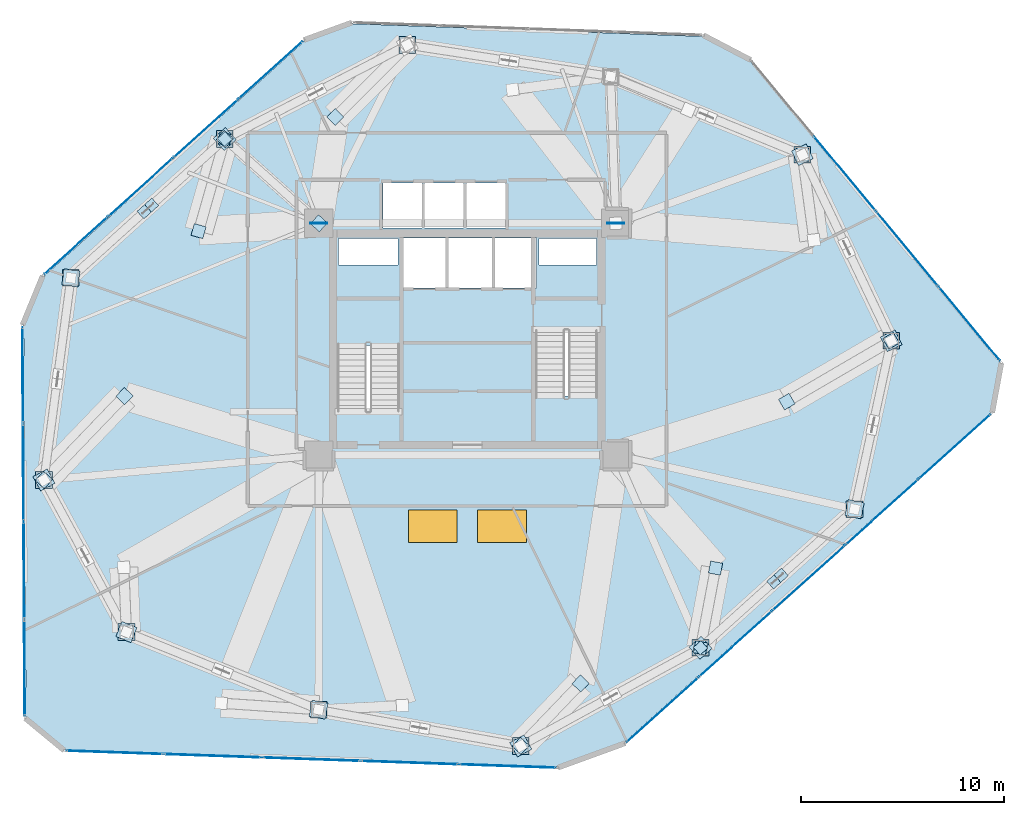
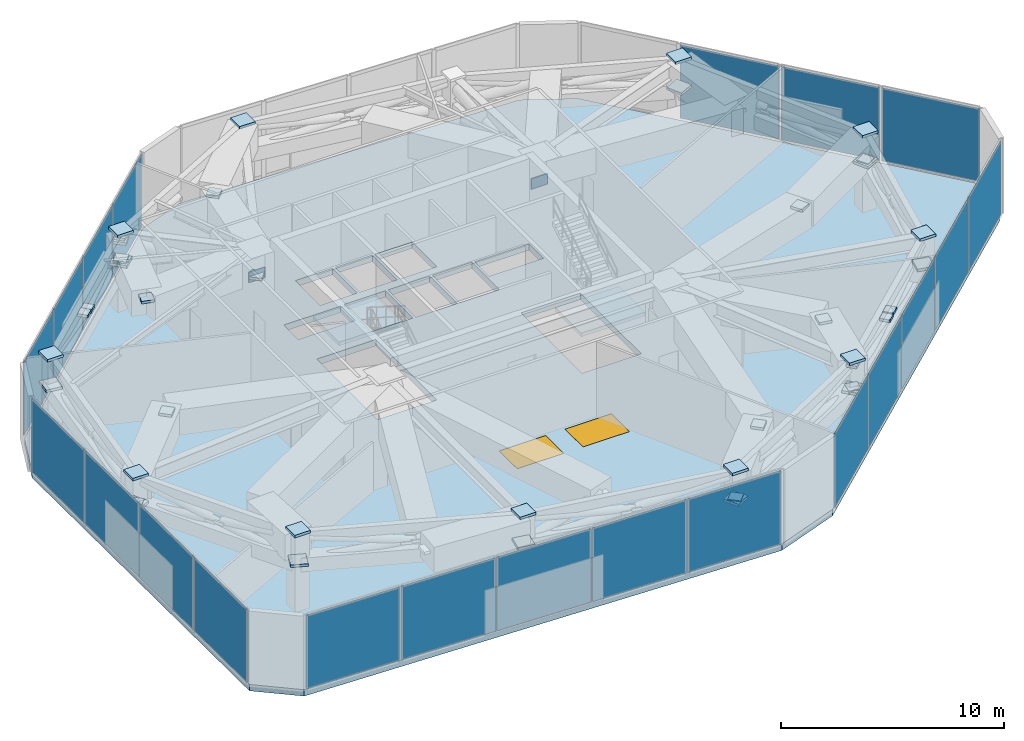
# One storey, part 19 of 25: 64 plates, 3 slabs, 2 windows, 2 openings, 7 elements without a shape of their own.
"""IFC4 building model written with IfcOpenShell, lengths in metres."""

from ifc_helpers import new_model, si_unit, direction, frame, origin, origin_2d, place, context, subcontext, project, spatial, polyline, rectangle, outline, extrude, source, transform, mapped, material, layer, layer_set, type_object, type_shapes, element, fill, aggregate, save


model = new_model("IFC4")

# Units and contexts
model_context = context("Model", 3, precision=1e-05, world=origin(), true_north=direction((0.0, 1.0)))
body_context = subcontext(model_context, "Body", "Model", "MODEL_VIEW")
ifc_project = project(units=[si_unit("LENGTHUNIT", "METRE"), si_unit("AREAUNIT", "SQUARE_METRE"), si_unit("VOLUMEUNIT", "CUBIC_METRE"), si_unit("PLANEANGLEUNIT", "RADIAN"), si_unit("MASSUNIT", "GRAM", prefix="KILO")], contexts=[model_context])

# Site, building, storey
site_placement = place(None, origin())
site = spatial("IfcSite", under=ifc_project, at=site_placement, CompositionType="ELEMENT")
building_placement = place(site_placement, origin())
building = spatial("IfcBuilding", under=site, at=building_placement, Name="Talar Marvaseh", CompositionType="ELEMENT")
storey_placement = place(building_placement, frame((0.0, 0.0, 84.800048828125)))
storey = spatial("IfcBuildingStorey", under=building, at=storey_placement, Name="L21", CompositionType="ELEMENT", Elevation=84.800048828125)

# Stair, slab
ifc_material_1 = material(Name="Concrete C40/50", Category="concrete")
stair_type = type_object("IfcStairType", Name="Reinforced Concrete Half-Turn Exit Stair Type B", PredefinedType="HALF_TURN_STAIR", material=ifc_material_1)
stair_1_placement = place(storey_placement, origin())
stair_1 = element("IfcStair", 1, at=stair_1_placement, inside=storey, type_object=stair_type, Name="L21 Tower West Core Exit Stair", PredefinedType="HALF_TURN_STAIR")
ifc_layer_1 = layer(ifc_material_1, 0.199951171875)
ifc_layer_set_1 = layer_set([ifc_layer_1], Name="Concrete C40/50")
slab_type_1 = type_object("IfcSlabType", Name="Reinforced Concrete Stair Half-Landing Slab 200", PredefinedType="LANDING", material=ifc_layer_set_1)
slab_1_placement = place(storey_placement, frame((0.0, 0.0, 2.099853515625)))
slab_1 = element("IfcSlab", 2, at=slab_1_placement, type_object=slab_type_1, Name="ST-1 landing 1", PredefinedType="LANDING", context=body_context, shape_type="SweptSolid", body=[
    extrude(outline(polyline([(22.780029296875, 30.889892578125), (22.780029296875, 33.219970703125), (19.47998046875, 33.219970703125), (19.47998046875, 30.889892578125), (22.780029296875, 30.889892578125)])), origin(), (0.0, 0.0, 1.0), 0.2001953125),
])
aggregate(stair_1, [slab_1])

stair_2_placement = place(storey_placement, origin())
stair_2 = element("IfcStair", 3, at=stair_2_placement, inside=storey, type_object=stair_type, Name="L21 Tower East Core Exit Stair", PredefinedType="HALF_TURN_STAIR")
slab_2_placement = place(storey_placement, frame((0.0, 0.0, 2.099853515625)))
slab_2 = element("IfcSlab", 4, at=slab_2_placement, type_object=slab_type_1, Name="ST-2 landing 1", PredefinedType="LANDING", context=body_context, shape_type="SweptSolid", body=[
    extrude(outline(polyline([(29.219970703125, 28.409912109375), (29.219970703125, 26.080078125), (32.52001953125, 26.080078125), (32.52001953125, 28.409912109375), (29.219970703125, 28.409912109375)])), origin(), (0.0, 0.0, 1.0), 0.2001953125),
])
aggregate(stair_2, [slab_2])

# Slab, openings, windows
ifc_material_2 = material(Name="Concrete C50/60", Category="concrete")
ifc_layer_2 = layer(ifc_material_2, 0.35009765625)
ifc_layer_set_2 = layer_set([ifc_layer_2], Name="Concrete C50/60")
slab_type_2 = type_object("IfcSlabType", Name="Structural Suspended Floor Slab 350", PredefinedType="FLOOR", material=ifc_layer_set_2)
slab_3_placement = place(storey_placement, frame((0.0, 0.0, -0.35009765625)))
slab_3 = element("IfcSlab", 5, at=slab_3_placement, inside=storey, type_object=slab_type_2, Name="L21 Tower Floor Slab", PredefinedType="FLOOR", context=body_context, shape_type="SweptSolid", body=[
    extrude(outline(polyline([(6.209716796875, 11.023681640625), (4.294921875, 12.606201171875), (4.1787109375, 31.872314453125), (5.177001953125, 34.298095703125), (17.98095703125, 45.854248046875), (20.34521484375, 46.714599609375), (37.58154296875, 46.09228515625), (39.90576171875, 44.8759765625), (52.200439453125, 30.04248046875), (51.7509765625, 27.599365234375), (33.744384765625, 11.391357421875), (30.421875, 10.181884765625), (6.209716796875, 11.023681640625)]), holes=[polyline([(22.659912109375, 27.64990234375), (22.659912109375, 33.10009765625), (19.60009765625, 33.10009765625), (19.60009765625, 27.64990234375), (22.659912109375, 27.64990234375)]), polyline([(29.340087890625, 31.64990234375), (29.340087890625, 26.199951171875), (32.39990234375, 26.199951171875), (32.39990234375, 31.64990234375), (29.340087890625, 31.64990234375)]), polyline([(22.800048828125, 33.719970703125), (24.93994140625, 33.719970703125), (24.93994140625, 36.179931640625), (22.800048828125, 36.179931640625), (22.800048828125, 33.719970703125)]), polyline([(25.080078125, 33.719970703125), (27.219970703125, 33.719970703125), (27.219970703125, 36.179931640625), (25.080078125, 36.179931640625), (25.080078125, 33.719970703125)]), polyline([(27.360107421875, 33.719970703125), (29.39990234375, 33.719970703125), (29.39990234375, 36.179931640625), (27.360107421875, 36.179931640625), (27.360107421875, 33.719970703125)]), polyline([(21.840087890625, 36.659912109375), (23.760009765625, 36.659912109375), (23.760009765625, 38.8798828125), (21.840087890625, 38.8798828125), (21.840087890625, 36.659912109375)]), polyline([(23.89990234375, 36.659912109375), (25.820068359375, 36.659912109375), (25.820068359375, 38.8798828125), (23.89990234375, 38.8798828125), (23.89990234375, 36.659912109375)]), polyline([(25.9599609375, 36.659912109375), (27.8798828125, 36.659912109375), (27.8798828125, 38.8798828125), (25.9599609375, 38.8798828125), (25.9599609375, 36.659912109375)]), polyline([(19.659912109375, 34.840087890625), (22.60009765625, 34.840087890625), (22.60009765625, 36.139892578125), (19.659912109375, 36.139892578125), (19.659912109375, 34.840087890625)]), polyline([(29.52001953125, 34.840087890625), (32.340087890625, 34.840087890625), (32.340087890625, 36.139892578125), (29.52001953125, 36.139892578125), (29.52001953125, 34.840087890625)])]), origin(), (0.0, 0.0, 1.0), 0.35009765625),
])
opening_1_placement = place(slab_3_placement, frame((24.300048828125, 22.0, -0.010009765625)))
opening_1 = element("IfcOpeningElement", 6, at=opening_1_placement, cuts=slab_3, Name="Opening WN-SKY24", PredefinedType="OPENING", context=body_context, shape_type="SweptSolid", body=[
    extrude(rectangle(XDim=2.39990234375, YDim=1.60009765625, at=origin_2d()), origin(), (0.0, 0.0, 1.0), 0.3701171875),
])
opening_2_placement = place(slab_3_placement, frame((27.699951171875, 22.0, -0.010009765625)))
opening_2 = element("IfcOpeningElement", 7, at=opening_2_placement, cuts=slab_3, Name="Opening WN-SKY24", PredefinedType="OPENING", context=body_context, shape_type="SweptSolid", body=[
    extrude(rectangle(XDim=2.39990234375, YDim=1.60009765625, at=origin_2d()), origin(), (0.0, 0.0, 1.0), 0.3701171875),
])
ifc_material_3 = material(Name="Laminated Low-E Solar Glass", Category="glass")
window_type = type_object("IfcWindowType", Name="Atrium Compartment Smoke-Rated Roof Skylight 2400x1600", PartitioningType="SINGLE_PANEL", PredefinedType="SKYLIGHT", material=ifc_material_3)
window_1_placement = place(slab_3_placement, frame((24.300048828125, 22.0, 0.300048828125)))
window_1 = element("IfcWindow", 8, at=window_1_placement, inside=storey, type_object=window_type, Name="L21 Atrium Compartment Smoke-Rated Skylight", OverallHeight=1.60009765625, OverallWidth=2.39990234375, PartitioningType="SINGLE_PANEL", PredefinedType="SKYLIGHT", context=body_context, shape_type="SweptSolid", body=[
    extrude(rectangle(XDim=2.39990234375, YDim=1.60009765625, at=origin_2d()), origin(), (0.0, 0.0, 1.0), 0.050048828125),
])
fill(opening_1, window_1)
window_2_placement = place(slab_3_placement, frame((27.699951171875, 22.0, 0.300048828125)))
window_2 = element("IfcWindow", 9, at=window_2_placement, inside=storey, type_object=window_type, Name="L21 Atrium Compartment Smoke-Rated Skylight", OverallHeight=1.60009765625, OverallWidth=2.39990234375, PartitioningType="SINGLE_PANEL", PredefinedType="SKYLIGHT", context=body_context, shape_type="SweptSolid", body=[
    extrude(rectangle(XDim=2.39990234375, YDim=1.60009765625, at=origin_2d()), origin(), (0.0, 0.0, 1.0), 0.050048828125),
])
fill(opening_2, window_2)

# Plates
ifc_material_4 = material(Name="Steel S460", Category="steel")
ifc_layer_3 = layer(ifc_material_4, 0.02490234375)
ifc_layer_set_3 = layer_set([ifc_layer_3], Name="Steel S460")
plate_type_1 = type_object("IfcPlateType", Name="Crown Box End Closure Cap Plate 25", PredefinedType="USERDEFINED", material=ifc_layer_set_3)
shared_shape_1 = source(origin(), body_context, "Body", "SweptSolid", [
    extrude(rectangle(XDim=0.5, YDim=0.5, at=origin_2d()), origin(), (0.0, 0.0, 1.0), 0.139892578125),
])
type_shapes(plate_type_1, [shared_shape_1])
for number, where, z_axis, x_axis, name in (
    (10, (37.468017578125, 16.02099609375, 3.77978515625), (0.0, 0.0, 1.0), (-0.743144825477, -0.669130606359, 0.0), "L21 Hollow Member End Cap Plate"),
    (11, (41.0791015625, 19.271240234375, 3.07373046875), (0.0, 0.0, 1.0), (0.743144825477, 0.669130606359, 0.0), "L21 Hollow Member End Cap Plate"),
    (12, (41.432861328125, 19.589599609375, 3.13671875), (0.0, 0.0, 1.0), (0.743144825477, 0.669130606359, 0.0), "L21 Hollow Member End Cap Plate"),
    (13, (14.069091796875, 41.04296875, 3.77978515625), (0.0, 0.0, 1.0), (0.741975840976, 0.670426618959, 0.0), "L21 Hollow Member End Cap Plate"),
    (14, (10.462158203125, 37.787841796875, 3.07373046875), (0.0, 0.0, 1.0), (-0.741975840976, -0.670426618959, 0.0), "L21 Hollow Member End Cap Plate"),
    (15, (10.10888671875, 37.468994140625, 3.13671875), (0.0, 0.0, 1.0), (-0.741975840976, -0.670426618959, 0.0), "L21 Hollow Member End Cap Plate"),
):
    element("IfcPlate", number, at=place(storey_placement, frame(where, z_axis=z_axis, x_axis=x_axis)), inside=storey, type_object=plate_type_1, Name=name, ObjectType="CAP_PLATE", PredefinedType="USERDEFINED", context=body_context, shape_type="MappedRepresentation", body=[
        mapped(shared_shape_1, transform((0.0, 0.0, 0.0), x_axis=(1.0, 0.0, 0.0), y_axis=(0.0, 1.0, 0.0), z_axis=(0.0, 0.0, 1.0), scale=1.0)),
    ])
ifc_layer_4 = layer(ifc_material_4, 0.034912109375)
ifc_layer_set_4 = layer_set([ifc_layer_4], Name="Steel S460")
plate_type_2 = type_object("IfcPlateType", Name="Belt Truss Post Closure Cap Plate 35", PredefinedType="USERDEFINED", material=ifc_layer_set_4)
shared_shape_2 = source(origin(), body_context, "Body", "SweptSolid", [
    extrude(rectangle(XDim=0.800048828125, YDim=0.800048828125, at=origin_2d()), origin(), (0.0, 0.0, 1.0), 0.139892578125),
])
for number, where, z_axis, x_axis, name in (
    (16, (42.47705078125, 40.26904296875, 2.43017578125), (0.0, 0.0, 1.0), (0.430511096808, -0.90258528435, 0.0), "L21 Hollow Member End Cap Plate"),
    (17, (46.841064453125, 31.118896484375, 2.43017578125), (0.0, 0.0, 1.0), (0.430511096808, -0.90258528435, 0.0), "L21 Hollow Member End Cap Plate"),
    (18, (45.0439453125, 22.840087890625, 2.43017578125), (0.0, 0.0, 1.0), (-0.211324796455, -0.977415894286, 0.0), "L21 Hollow Member End Cap Plate"),
    (19, (37.468017578125, 16.02099609375, 2.43017578125), (0.0, 0.0, 1.0), (-0.743144825477, -0.669130606359, 0.0), "L21 Hollow Member End Cap Plate"),
    (20, (28.625, 11.195068359375, 2.43017578125), (0.0, 0.0, 1.0), (-0.877982975428, -0.478691857941, 0.0), "L21 Hollow Member End Cap Plate"),
    (21, (18.68310546875, 12.97900390625, 2.43017578125), (0.0, 0.0, 1.0), (-0.984195607969, 0.17708474032, 0.0), "L21 Hollow Member End Cap Plate"),
    (22, (9.23193359375, 16.7958984375, 2.43017578125), (0.0, 0.0, 1.0), (-0.927183854567, 0.374606593416, 0.0), "L21 Hollow Member End Cap Plate"),
    (23, (5.175048828125, 24.27587890625, 2.43017578125), (0.0, 0.0, 1.0), (-0.47715876026, 0.878817112662, 0.0), "L21 Hollow Member End Cap Plate"),
    (24, (6.501953125, 34.214111328125, 2.43017578125), (0.0, 0.0, 1.0), (0.132256390257, 0.991215540252, 0.0), "L21 Hollow Member End Cap Plate"),
    (25, (14.069091796875, 41.04296875, 2.43017578125), (0.0, 0.0, 1.0), (0.741975840976, 0.670426618959, 0.0), "L21 Hollow Member End Cap Plate"),
):
    element("IfcPlate", number, at=place(storey_placement, frame(where, z_axis=z_axis, x_axis=x_axis)), inside=storey, type_object=plate_type_2, Name=name, ObjectType="CAP_PLATE", PredefinedType="USERDEFINED", context=body_context, shape_type="MappedRepresentation", body=[
        mapped(shared_shape_2, transform((0.0, 0.0, 0.0), x_axis=(1.0, 0.0, 0.0), y_axis=(0.0, 1.0, 0.0), z_axis=(0.0, 0.0, 1.0), scale=1.0)),
    ])
ifc_layer_5 = layer(ifc_material_4, 0.030029296875)
ifc_layer_set_5 = layer_set([ifc_layer_5], Name="Steel S460")
plate_type_3 = type_object("IfcPlateType", Name="Heavy Box End Closure Cap Plate 30", PredefinedType="USERDEFINED", material=ifc_layer_set_5)
shared_shape_3 = source(origin(), body_context, "Body", "SweptSolid", [
    extrude(rectangle(XDim=0.60009765625, YDim=0.60009765625, at=origin_2d()), origin(), (0.0, 0.0, 1.0), 0.139892578125),
])
type_shapes(plate_type_3, [shared_shape_3])
for number, where, z_axis, x_axis, name in (
    (26, (18.699951171875, 36.89990234375, 2.52978515625), (0.0, 0.0, 1.0), (-0.745475999683, 0.666532470249, 0.0), "L21 Hollow Member End Cap Plate"),
    (27, (14.069091796875, 41.04296875, 2.52978515625), (0.0, 0.0, 1.0), (-0.745475999683, 0.666532470249, 0.0), "L21 Hollow Member End Cap Plate"),
    (28, (14.069091796875, 41.04296875, 3.580078125), (0.0, 0.0, 1.0), (-0.745475999683, 0.666532470249, 0.0), "L21 Hollow Member End Cap Plate"),
    (29, (46.841064453125, 31.118896484375, 2.47998046875), (0.0, 0.0, 1.0), (-0.864274801954, -0.50301994663, 0.0), "L21 Hollow Member End Cap Plate"),
    (30, (41.708984375, 28.1279296875, 3.580078125), (0.0, 0.0, 1.0), (-0.864274801954, -0.50301994663, 0.0), "L21 Hollow Member End Cap Plate"),
    (31, (37.468017578125, 16.02099609375, 2.47998046875), (0.0, 0.0, 1.0), (0.185666615386, 0.982612796544, 0.0), "L21 Hollow Member End Cap Plate"),
    (32, (38.2060546875, 19.94091796875, 3.580078125), (0.0, 0.0, 1.0), (0.185666615386, 0.982612796544, 0.0), "L21 Hollow Member End Cap Plate"),
    (33, (28.625, 11.195068359375, 2.47998046875), (0.0, 0.0, 1.0), (0.69214317387, 0.721760228098, 0.0), "L21 Hollow Member End Cap Plate"),
    (34, (31.570068359375, 14.26806640625, 3.580078125), (0.0, 0.0, 1.0), (0.69214317387, 0.721760228098, 0.0), "L21 Hollow Member End Cap Plate"),
    (35, (5.175048828125, 24.27587890625, 2.47998046875), (0.0, 0.0, 1.0), (0.69214317387, 0.721760228098, 0.0), "L21 Hollow Member End Cap Plate"),
    (36, (9.137939453125, 28.402099609375, 3.580078125), (0.0, 0.0, 1.0), (0.69214317387, 0.721760228098, 0.0), "L21 Hollow Member End Cap Plate"),
    (37, (14.069091796875, 41.04296875, 2.47998046875), (0.0, 0.0, 1.0), (-0.273959218692, -0.961741309549, 0.0), "L21 Hollow Member End Cap Plate"),
    (38, (12.780029296875, 36.51708984375, 3.580078125), (0.0, 0.0, 1.0), (-0.273959218692, -0.961741309549, 0.0), "L21 Hollow Member End Cap Plate"),
    (39, (19.5009765625, 42.123046875, 3.580078125), (0.0, 0.0, 1.0), (-0.707106781187, -0.707106781187, 0.0), "L21 Hollow Member End Cap Plate"),
):
    element("IfcPlate", number, at=place(storey_placement, frame(where, z_axis=z_axis, x_axis=x_axis)), inside=storey, type_object=plate_type_3, Name=name, ObjectType="CAP_PLATE", PredefinedType="USERDEFINED", context=body_context, shape_type="MappedRepresentation", body=[
        mapped(shared_shape_3, transform((0.0, 0.0, 0.0), x_axis=(1.0, 0.0, 0.0), y_axis=(0.0, 1.0, 0.0), z_axis=(0.0, 0.0, 1.0), scale=1.0)),
    ])
shared_shape_4 = source(origin(), body_context, "Body", "SweptSolid", [
    extrude(rectangle(XDim=0.820068359375, YDim=0.820068359375, at=origin_2d()), origin(), (0.0, 0.0, 1.0), 0.139892578125),
])
type_shapes(plate_type_2, [shared_shape_2, shared_shape_4])
for number, where, z_axis, x_axis, name in (
    (40, (42.47705078125, 40.26904296875, 4.125), (0.0, 0.0, 1.0), (1.0, 0.0, 0.0), "L21 Belt Truss Post Top Cap Plate"),
    (41, (46.841064453125, 31.118896484375, 4.125), (0.0, 0.0, 1.0), (1.0, 0.0, 0.0), "L21 Belt Truss Post Top Cap Plate"),
    (42, (45.0439453125, 22.840087890625, 4.125), (0.0, 0.0, 1.0), (1.0, 0.0, 0.0), "L21 Belt Truss Post Top Cap Plate"),
    (43, (37.468017578125, 16.02099609375, 4.125), (0.0, 0.0, 1.0), (1.0, 0.0, 0.0), "L21 Belt Truss Post Top Cap Plate"),
    (44, (28.625, 11.195068359375, 4.125), (0.0, 0.0, 1.0), (1.0, 0.0, 0.0), "L21 Belt Truss Post Top Cap Plate"),
    (45, (18.68310546875, 12.97900390625, 4.125), (0.0, 0.0, 1.0), (1.0, 0.0, 0.0), "L21 Belt Truss Post Top Cap Plate"),
    (46, (9.23193359375, 16.7958984375, 4.125), (0.0, 0.0, 1.0), (1.0, 0.0, 0.0), "L21 Belt Truss Post Top Cap Plate"),
    (47, (5.175048828125, 24.27587890625, 4.125), (0.0, 0.0, 1.0), (1.0, 0.0, 0.0), "L21 Belt Truss Post Top Cap Plate"),
    (48, (6.501953125, 34.214111328125, 4.125), (0.0, 0.0, 1.0), (1.0, 0.0, 0.0), "L21 Belt Truss Post Top Cap Plate"),
    (49, (14.069091796875, 41.04296875, 4.125), (0.0, 0.0, 1.0), (1.0, 0.0, 0.0), "L21 Belt Truss Post Top Cap Plate"),
    (50, (23.047119140625, 45.6669921875, 4.125), (0.0, 0.0, 1.0), (1.0, 0.0, 0.0), "L21 Belt Truss Post Top Cap Plate"),
):
    element("IfcPlate", number, at=place(storey_placement, frame(where, z_axis=z_axis, x_axis=x_axis)), inside=storey, type_object=plate_type_2, Name=name, ObjectType="CAP_PLATE", PredefinedType="USERDEFINED", context=body_context, shape_type="MappedRepresentation", body=[
        mapped(shared_shape_4, transform((0.0, 0.0, 0.0), x_axis=(1.0, 0.0, 0.0), y_axis=(0.0, 1.0, 0.0), z_axis=(0.0, 0.0, 1.0), scale=1.0)),
    ])
ifc_layer_6 = layer(ifc_material_4, 0.035888671875)
ifc_layer_set_6 = layer_set([ifc_layer_6], Name="Steel S460")
plate_type_4 = type_object("IfcPlateType", Name="Outrigger Node Gusset Plate 36", PredefinedType="USERDEFINED", material=ifc_layer_set_6)
shared_shape_5 = source(origin(), body_context, "Body", "SweptSolid", [
    extrude(rectangle(XDim=0.840087890625, YDim=0.035888671875, at=origin_2d()), origin(), (0.0, 0.0, 1.0), 0.56005859375),
])
type_shapes(plate_type_4, [shared_shape_5])
for number, where, z_axis, x_axis, name in (
    (51, (18.699951171875, 36.89990234375, 2.33984375), (0.0, 0.0, 1.0), (1.0, 0.0, 0.0), "L21 Outrigger Gusset Plate 1"),
    (52, (33.300048828125, 36.89990234375, 2.33984375), (0.0, 0.0, 1.0), (1.0, 0.0, 0.0), "L21 Outrigger Gusset Plate 2"),
):
    element("IfcPlate", number, at=place(storey_placement, frame(where, z_axis=z_axis, x_axis=x_axis)), inside=storey, type_object=plate_type_4, Name=name, ObjectType="GUSSET_PLATE", PredefinedType="USERDEFINED", context=body_context, shape_type="MappedRepresentation", body=[
        mapped(shared_shape_5, transform((0.0, 0.0, 0.0), x_axis=(1.0, 0.0, 0.0), y_axis=(0.0, 1.0, 0.0), z_axis=(0.0, 0.0, 1.0), scale=1.0)),
    ])

# Curtain wall, plates
ifc_material_5 = material(Name="Architectural Aluminium", Category="aluminium")
ifc_layer_7 = layer(ifc_material_5, 0.219970703125)
ifc_layer_set_7 = layer_set([ifc_layer_7], Name="Architectural Aluminium")
curtain_wall_type = type_object("IfcCurtainWallType", Name="Unitised Low-E Museum Curtain Wall Z1", PredefinedType="NOTDEFINED", material=ifc_layer_set_7)
curtain_wall_1_placement = place(storey_placement, origin())
curtain_wall_1 = element("IfcCurtainWall", 53, at=curtain_wall_1_placement, inside=storey, type_object=curtain_wall_type, Name="L21 Unitised Low-E Museum Curtain Wall Z1", PredefinedType="NOTDEFINED")
ifc_material_6 = material(Name="Spandrel Insulated Glass", Category="glass")
ifc_layer_8 = layer(ifc_material_6, 0.035888671875)
ifc_layer_set_8 = layer_set([ifc_layer_8], Name="Spandrel Insulated Glass")
plate_type_5 = type_object("IfcPlateType", Name="Insulated Back-Painted Spandrel Curtain Panel 36", PredefinedType="CURTAIN_PANEL", material=ifc_layer_set_8)
shared_shape_6 = source(origin(), body_context, "Body", "SweptSolid", [
    extrude(rectangle(XDim=4.696533203125, YDim=0.035888671875, at=origin_2d()), origin(), (0.0, 0.0, 1.0), 4.0),
])
plate_1_placement = place(storey_placement, frame((4.22021484375, 15.0341796875, 0.074951171875), z_axis=(0.0, 0.0, 1.0), x_axis=(-0.006041589923, 0.999981749429, 0.0)))
plate_1 = element("IfcPlate", 54, at=plate_1_placement, type_object=plate_type_5, Name="CW-Z1 panel 1.1", PredefinedType="CURTAIN_PANEL", context=body_context, shape_type="MappedRepresentation", body=[
    mapped(shared_shape_6, transform((0.0, 0.0, 0.0), x_axis=(1.0, 0.0, 0.0), y_axis=(0.0, 1.0, 0.0), z_axis=(0.0, 0.0, 1.0), scale=1.0)),
])
plate_2_placement = place(storey_placement, frame((4.13330078125, 29.443603515625, 0.074951171875), z_axis=(0.0, 0.0, 1.0), x_axis=(-0.006041589923, 0.999981749429, 0.0)))
plate_2 = element("IfcPlate", 55, at=plate_2_placement, type_object=plate_type_5, Name="CW-Z1 panel 4.1", PredefinedType="CURTAIN_PANEL", context=body_context, shape_type="MappedRepresentation", body=[
    mapped(shared_shape_6, transform((0.0, 0.0, 0.0), x_axis=(1.0, 0.0, 0.0), y_axis=(0.0, 1.0, 0.0), z_axis=(0.0, 0.0, 1.0), scale=1.0)),
])

# Curtain wall, plate
curtain_wall_2_placement = place(storey_placement, origin())
curtain_wall_2 = element("IfcCurtainWall", 56, at=curtain_wall_2_placement, inside=storey, type_object=curtain_wall_type, Name="L21 Unitised Low-E Museum Curtain Wall Z1", PredefinedType="NOTDEFINED")
plate_3_placement = place(storey_placement, frame((50.697021484375, 31.9501953125, 0.074951171875), z_axis=(0.0, 0.0, 1.0), x_axis=(0.638146673184, -0.769914815745, 0.0)))
plate_3 = element("IfcPlate", 57, at=plate_3_placement, type_object=plate_type_5, Name="CW-Z1 panel 4.1", PredefinedType="CURTAIN_PANEL", context=body_context, shape_type="MappedRepresentation", body=[
    mapped(shared_shape_6, transform((0.0, 0.0, 0.0), x_axis=(1.0, 0.0, 0.0), y_axis=(0.0, 1.0, 0.0), z_axis=(0.0, 0.0, 1.0), scale=1.0)),
])

# Plate
shared_shape_7 = source(origin(), body_context, "Body", "SweptSolid", [
    extrude(rectangle(XDim=4.736572265625, YDim=0.035888671875, at=origin_2d()), origin(), (0.0, 0.0, 1.0), 4.0),
])
plate_4_placement = place(storey_placement, frame((4.19140625, 19.83056640625, 0.074951171875), z_axis=(0.0, 0.0, 1.0), x_axis=(-0.006041589923, 0.999981749429, 0.0)))
plate_4 = element("IfcPlate", 58, at=plate_4_placement, type_object=plate_type_5, Name="CW-Z1 panel 2.1", PredefinedType="CURTAIN_PANEL", context=body_context, shape_type="MappedRepresentation", body=[
    mapped(shared_shape_7, transform((0.0, 0.0, 0.0), x_axis=(1.0, 0.0, 0.0), y_axis=(0.0, 1.0, 0.0), z_axis=(0.0, 0.0, 1.0), scale=1.0)),
])

plate_5_placement = place(storey_placement, frame((4.162353515625, 24.647216796875, 0.074951171875), z_axis=(0.0, 0.0, 1.0), x_axis=(-0.006041589923, 0.999981749429, 0.0)))
plate_5 = element("IfcPlate", 59, at=plate_5_placement, type_object=plate_type_5, Name="CW-Z1 panel 3.1", PredefinedType="CURTAIN_PANEL", context=body_context, shape_type="MappedRepresentation", body=[
    mapped(shared_shape_7, transform((0.0, 0.0, 0.0), x_axis=(1.0, 0.0, 0.0), y_axis=(0.0, 1.0, 0.0), z_axis=(0.0, 0.0, 1.0), scale=1.0)),
])

aggregate(curtain_wall_1, [plate_1, plate_4, plate_5, plate_2])

plate_6_placement = place(storey_placement, frame((44.5625, 39.3515625, 0.074951171875), z_axis=(0.0, 0.0, 1.0), x_axis=(0.638146673184, -0.769914815745, 0.0)))
plate_6 = element("IfcPlate", 60, at=plate_6_placement, type_object=plate_type_5, Name="CW-Z1 panel 2.1", PredefinedType="CURTAIN_PANEL", context=body_context, shape_type="MappedRepresentation", body=[
    mapped(shared_shape_7, transform((0.0, 0.0, 0.0), x_axis=(1.0, 0.0, 0.0), y_axis=(0.0, 1.0, 0.0), z_axis=(0.0, 0.0, 1.0), scale=1.0)),
])

plate_7_placement = place(storey_placement, frame((47.63623046875, 35.643310546875, 0.074951171875), z_axis=(0.0, 0.0, 1.0), x_axis=(0.638146673184, -0.769914815745, 0.0)))
plate_7 = element("IfcPlate", 61, at=plate_7_placement, type_object=plate_type_5, Name="CW-Z1 panel 3.1", PredefinedType="CURTAIN_PANEL", context=body_context, shape_type="MappedRepresentation", body=[
    mapped(shared_shape_7, transform((0.0, 0.0, 0.0), x_axis=(1.0, 0.0, 0.0), y_axis=(0.0, 1.0, 0.0), z_axis=(0.0, 0.0, 1.0), scale=1.0)),
])

aggregate(curtain_wall_2, [plate_6, plate_7, plate_3])

# Curtain wall, plates
curtain_wall_3_placement = place(storey_placement, origin())
curtain_wall_3 = element("IfcCurtainWall", 62, at=curtain_wall_3_placement, inside=storey, type_object=curtain_wall_type, Name="L21 Unitised Low-E Museum Curtain Wall Z1", PredefinedType="NOTDEFINED")
shared_shape_8 = source(origin(), body_context, "Body", "SweptSolid", [
    extrude(rectangle(XDim=4.19189453125, YDim=0.035888671875, at=origin_2d()), origin(), (0.0, 0.0, 1.0), 4.0),
])
plate_8_placement = place(storey_placement, frame((6.752197265625, 35.800537109375, 0.074951171875), z_axis=(0.0, 0.0, 1.0), x_axis=(0.742351266678, 0.670010893092, 0.0)))
plate_8 = element("IfcPlate", 63, at=plate_8_placement, type_object=plate_type_5, Name="CW-Z1 panel 1.1", PredefinedType="CURTAIN_PANEL", context=body_context, shape_type="MappedRepresentation", body=[
    mapped(shared_shape_8, transform((0.0, 0.0, 0.0), x_axis=(1.0, 0.0, 0.0), y_axis=(0.0, 1.0, 0.0), z_axis=(0.0, 0.0, 1.0), scale=1.0)),
])
plate_9_placement = place(storey_placement, frame((16.325439453125, 44.440673828125, 0.074951171875), z_axis=(0.0, 0.0, 1.0), x_axis=(0.742351266678, 0.670010893092, 0.0)))
plate_9 = element("IfcPlate", 64, at=plate_9_placement, type_object=plate_type_5, Name="CW-Z1 panel 4.1", PredefinedType="CURTAIN_PANEL", context=body_context, shape_type="MappedRepresentation", body=[
    mapped(shared_shape_8, transform((0.0, 0.0, 0.0), x_axis=(1.0, 0.0, 0.0), y_axis=(0.0, 1.0, 0.0), z_axis=(0.0, 0.0, 1.0), scale=1.0)),
])
shared_shape_9 = source(origin(), body_context, "Body", "SweptSolid", [
    extrude(rectangle(XDim=4.23193359375, YDim=0.035888671875, at=origin_2d()), origin(), (0.0, 0.0, 1.0), 4.0),
])
plate_10_placement = place(storey_placement, frame((9.938232421875, 38.676025390625, 0.074951171875), z_axis=(0.0, 0.0, 1.0), x_axis=(0.742351266678, 0.670010893092, 0.0)))
plate_10 = element("IfcPlate", 65, at=plate_10_placement, type_object=plate_type_5, Name="CW-Z1 panel 2.1", PredefinedType="CURTAIN_PANEL", context=body_context, shape_type="MappedRepresentation", body=[
    mapped(shared_shape_9, transform((0.0, 0.0, 0.0), x_axis=(1.0, 0.0, 0.0), y_axis=(0.0, 1.0, 0.0), z_axis=(0.0, 0.0, 1.0), scale=1.0)),
])
plate_11_placement = place(storey_placement, frame((13.13916015625, 41.565185546875, 0.074951171875), z_axis=(0.0, 0.0, 1.0), x_axis=(0.742351266678, 0.670010893092, 0.0)))
plate_11 = element("IfcPlate", 66, at=plate_11_placement, type_object=plate_type_5, Name="CW-Z1 panel 3.1", PredefinedType="CURTAIN_PANEL", context=body_context, shape_type="MappedRepresentation", body=[
    mapped(shared_shape_9, transform((0.0, 0.0, 0.0), x_axis=(1.0, 0.0, 0.0), y_axis=(0.0, 1.0, 0.0), z_axis=(0.0, 0.0, 1.0), scale=1.0)),
])
aggregate(curtain_wall_3, [plate_8, plate_10, plate_11, plate_9])

curtain_wall_4_placement = place(storey_placement, origin())
curtain_wall_4 = element("IfcCurtainWall", 67, at=curtain_wall_4_placement, inside=storey, type_object=curtain_wall_type, Name="L21 Unitised Low-E Museum Curtain Wall Z1", PredefinedType="NOTDEFINED")
shared_shape_10 = source(origin(), body_context, "Body", "SweptSolid", [
    extrude(rectangle(XDim=4.725341796875, YDim=0.035888671875, at=origin_2d()), origin(), (0.0, 0.0, 1.0), 4.0),
])
plate_12_placement = place(storey_placement, frame((49.9755859375, 25.920654296875, 0.074951171875), z_axis=(0.0, 0.0, 1.0), x_axis=(-0.743247964796, -0.669016040785, 0.0)))
plate_12 = element("IfcPlate", 68, at=plate_12_placement, type_object=plate_type_5, Name="CW-Z1 panel 1.1", PredefinedType="CURTAIN_PANEL", context=body_context, shape_type="MappedRepresentation", body=[
    mapped(shared_shape_10, transform((0.0, 0.0, 0.0), x_axis=(1.0, 0.0, 0.0), y_axis=(0.0, 1.0, 0.0), z_axis=(0.0, 0.0, 1.0), scale=1.0)),
])
plate_13_placement = place(storey_placement, frame((35.60009765625, 12.98095703125, 0.074951171875), z_axis=(0.0, 0.0, 1.0), x_axis=(-0.743247964796, -0.669016040785, 0.0)))
plate_13 = element("IfcPlate", 69, at=plate_13_placement, type_object=plate_type_5, Name="CW-Z1 panel 5.1", PredefinedType="CURTAIN_PANEL", context=body_context, shape_type="MappedRepresentation", body=[
    mapped(shared_shape_10, transform((0.0, 0.0, 0.0), x_axis=(1.0, 0.0, 0.0), y_axis=(0.0, 1.0, 0.0), z_axis=(0.0, 0.0, 1.0), scale=1.0)),
])

curtain_wall_5_placement = place(storey_placement, origin())
curtain_wall_5 = element("IfcCurtainWall", 70, at=curtain_wall_5_placement, inside=storey, type_object=curtain_wall_type, Name="L21 Unitised Low-E Museum Curtain Wall Z1", PredefinedType="NOTDEFINED")
plate_14_placement = place(storey_placement, frame((27.978515625, 10.206787109375, 0.074951171875), z_axis=(0.0, 0.0, 1.0), x_axis=(-0.999396149518, 0.03474674558, 0.0)))
plate_14 = element("IfcPlate", 71, at=plate_14_placement, type_object=plate_type_5, Name="CW-Z1 panel 1.1", PredefinedType="CURTAIN_PANEL", context=body_context, shape_type="MappedRepresentation", body=[
    mapped(shared_shape_10, transform((0.0, 0.0, 0.0), x_axis=(1.0, 0.0, 0.0), y_axis=(0.0, 1.0, 0.0), z_axis=(0.0, 0.0, 1.0), scale=1.0)),
])
plate_15_placement = place(storey_placement, frame((8.648681640625, 10.87890625, 0.074951171875), z_axis=(0.0, 0.0, 1.0), x_axis=(-0.999396149518, 0.03474674558, 0.0)))
plate_15 = element("IfcPlate", 72, at=plate_15_placement, type_object=plate_type_5, Name="CW-Z1 panel 5.1", PredefinedType="CURTAIN_PANEL", context=body_context, shape_type="MappedRepresentation", body=[
    mapped(shared_shape_10, transform((0.0, 0.0, 0.0), x_axis=(1.0, 0.0, 0.0), y_axis=(0.0, 1.0, 0.0), z_axis=(0.0, 0.0, 1.0), scale=1.0)),
])

# Plate
shared_shape_11 = source(origin(), body_context, "Body", "SweptSolid", [
    extrude(rectangle(XDim=4.765380859375, YDim=0.035888671875, at=origin_2d()), origin(), (0.0, 0.0, 1.0), 4.0),
])
type_shapes(plate_type_5, [shared_shape_6, shared_shape_7, shared_shape_8, shared_shape_9, shared_shape_10, shared_shape_11])
plate_16_placement = place(storey_placement, frame((46.38916015625, 22.6923828125, 0.074951171875), z_axis=(0.0, 0.0, 1.0), x_axis=(-0.743247964796, -0.669016040785, 0.0)))
plate_16 = element("IfcPlate", 73, at=plate_16_placement, type_object=plate_type_5, Name="CW-Z1 panel 2.1", PredefinedType="CURTAIN_PANEL", context=body_context, shape_type="MappedRepresentation", body=[
    mapped(shared_shape_11, transform((0.0, 0.0, 0.0), x_axis=(1.0, 0.0, 0.0), y_axis=(0.0, 1.0, 0.0), z_axis=(0.0, 0.0, 1.0), scale=1.0)),
])

plate_17_placement = place(storey_placement, frame((42.787841796875, 19.45068359375, 0.074951171875), z_axis=(0.0, 0.0, 1.0), x_axis=(-0.743247964796, -0.669016040785, 0.0)))
plate_17 = element("IfcPlate", 74, at=plate_17_placement, type_object=plate_type_5, Name="CW-Z1 panel 3.1", PredefinedType="CURTAIN_PANEL", context=body_context, shape_type="MappedRepresentation", body=[
    mapped(shared_shape_11, transform((0.0, 0.0, 0.0), x_axis=(1.0, 0.0, 0.0), y_axis=(0.0, 1.0, 0.0), z_axis=(0.0, 0.0, 1.0), scale=1.0)),
])

plate_18_placement = place(storey_placement, frame((39.1865234375, 16.209228515625, 0.074951171875), z_axis=(0.0, 0.0, 1.0), x_axis=(-0.743247964796, -0.669016040785, 0.0)))
plate_18 = element("IfcPlate", 75, at=plate_18_placement, type_object=plate_type_5, Name="CW-Z1 panel 4.1", PredefinedType="CURTAIN_PANEL", context=body_context, shape_type="MappedRepresentation", body=[
    mapped(shared_shape_11, transform((0.0, 0.0, 0.0), x_axis=(1.0, 0.0, 0.0), y_axis=(0.0, 1.0, 0.0), z_axis=(0.0, 0.0, 1.0), scale=1.0)),
])

aggregate(curtain_wall_4, [plate_12, plate_16, plate_17, plate_18, plate_13])

plate_19_placement = place(storey_placement, frame((23.156005859375, 10.37451171875, 0.074951171875), z_axis=(0.0, 0.0, 1.0), x_axis=(-0.999396149518, 0.03474674558, 0.0)))
plate_19 = element("IfcPlate", 76, at=plate_19_placement, type_object=plate_type_5, Name="CW-Z1 panel 2.1", PredefinedType="CURTAIN_PANEL", context=body_context, shape_type="MappedRepresentation", body=[
    mapped(shared_shape_11, transform((0.0, 0.0, 0.0), x_axis=(1.0, 0.0, 0.0), y_axis=(0.0, 1.0, 0.0), z_axis=(0.0, 0.0, 1.0), scale=1.0)),
])

plate_20_placement = place(storey_placement, frame((18.313720703125, 10.542724609375, 0.074951171875), z_axis=(0.0, 0.0, 1.0), x_axis=(-0.999396149518, 0.03474674558, 0.0)))
plate_20 = element("IfcPlate", 77, at=plate_20_placement, type_object=plate_type_5, Name="CW-Z1 panel 3.1", PredefinedType="CURTAIN_PANEL", context=body_context, shape_type="MappedRepresentation", body=[
    mapped(shared_shape_11, transform((0.0, 0.0, 0.0), x_axis=(1.0, 0.0, 0.0), y_axis=(0.0, 1.0, 0.0), z_axis=(0.0, 0.0, 1.0), scale=1.0)),
])

plate_21_placement = place(storey_placement, frame((13.47119140625, 10.711181640625, 0.074951171875), z_axis=(0.0, 0.0, 1.0), x_axis=(-0.999396149518, 0.03474674558, 0.0)))
plate_21 = element("IfcPlate", 78, at=plate_21_placement, type_object=plate_type_5, Name="CW-Z1 panel 4.1", PredefinedType="CURTAIN_PANEL", context=body_context, shape_type="MappedRepresentation", body=[
    mapped(shared_shape_11, transform((0.0, 0.0, 0.0), x_axis=(1.0, 0.0, 0.0), y_axis=(0.0, 1.0, 0.0), z_axis=(0.0, 0.0, 1.0), scale=1.0)),
])

aggregate(curtain_wall_5, [plate_14, plate_19, plate_20, plate_21, plate_15])

save(model, "model.ifc")
